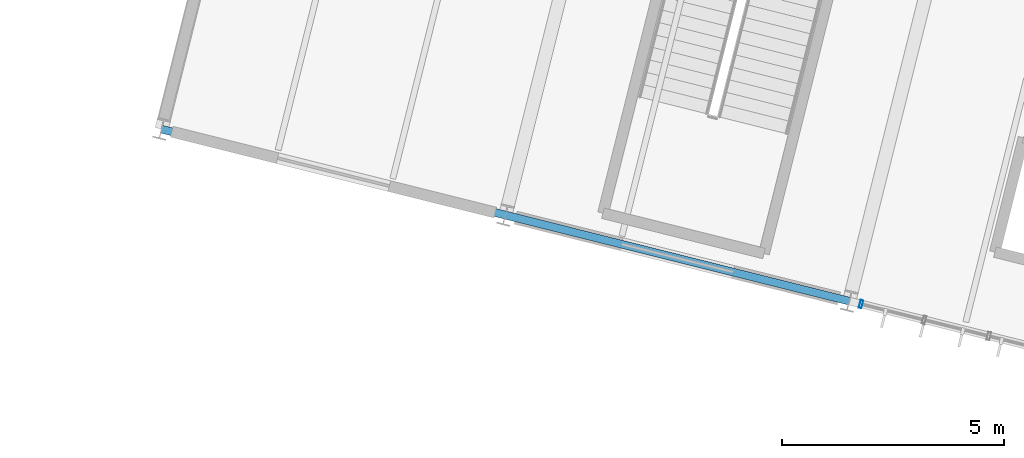
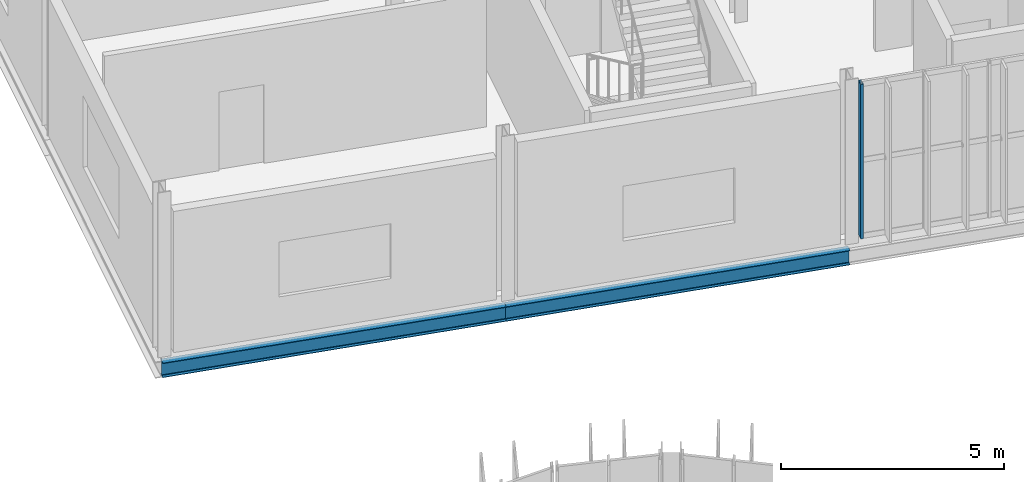
# One storey, part 77 of 152: 2 beams, 1 member, 1 element without a shape of its own.
"""IFC4 building model written with IfcOpenShell, lengths in metres."""

from ifc_helpers import new_model, si_unit, derived_unit, direction, frame, origin, origin_2d, place, context, subcontext, project, spatial, hollow_rectangle, i_section, extrude, material, material_profile, profile_set, type_object, element, aggregate, save


model = new_model("IFC4")

# Units and contexts
model_context = context("Model", 3, precision=1e-05, world=origin(), true_north=direction((0.0, 1.0)))
body_context = subcontext(model_context, "Body", "Model", "MODEL_VIEW")
ifc_project = project(units=[si_unit("LENGTHUNIT", "METRE"), si_unit("AREAUNIT", "SQUARE_METRE"), si_unit("VOLUMEUNIT", "CUBIC_METRE"), si_unit("PLANEANGLEUNIT", "RADIAN"), si_unit("MASSUNIT", "GRAM", prefix="KILO"), si_unit("THERMODYNAMICTEMPERATUREUNIT", "KELVIN"), si_unit("TIMEUNIT", "SECOND"), derived_unit("THERMALTRANSMITTANCEUNIT", [(si_unit("MASSUNIT", "GRAM", prefix="KILO"), 1), (si_unit("THERMODYNAMICTEMPERATUREUNIT", "KELVIN"), -1), (si_unit("TIMEUNIT", "SECOND"), -3)])], contexts=[model_context])

# Site, building, storey
site_placement = place(None, origin())
site = spatial("IfcSite", under=ifc_project, at=site_placement, CompositionType="ELEMENT")
building_placement = place(site_placement, origin())
building = spatial("IfcBuilding", under=site, at=building_placement, Name="Cambertide Market Hall", CompositionType="ELEMENT")
storey_placement = place(building_placement, frame((0.0, 0.0, 5.39990234375)))
storey = spatial("IfcBuildingStorey", under=building, at=storey_placement, Name="L02", CompositionType="ELEMENT", Elevation=5.39990234375)

# Curtain wall, member
ifc_material_1 = material(Name="Marine Anodized Aluminium 6063-T6 AA25", Category="aluminium")
curtain_wall_type = type_object("IfcCurtainWallType", Name="Cooking School Classroom Curtain Wall", PredefinedType="USERDEFINED", material=ifc_material_1)
curtain_wall_placement = place(storey_placement, origin())
curtain_wall = element("IfcCurtainWall", 1, at=curtain_wall_placement, inside=storey, type_object=curtain_wall_type, Name="Level 2 Curtain Wall CW-V4S-L02-3", ObjectType="UNITIZED CURTAIN WALL", PredefinedType="USERDEFINED")
ifc_material_2 = material(Name="Champagne Marine Anodized Aluminium 6063-T6 AA25", Category="aluminium")
ifc_material_profile_1 = material_profile(ifc_material_2, hollow_rectangle(XDim=0.06494140625, YDim=0.179931640625, WallThickness=0.00390625, at=origin_2d()), Name="ALU MULLION 65x180")
ifc_profile_set_1 = profile_set([ifc_material_profile_1], Name="Champagne Marine Anodized Aluminium 6063-T6 AA25")
member_type = type_object("IfcMemberType", Name="Curtain Wall Mullion ALU MULLION 65x180", PredefinedType="MULLION", material=ifc_profile_set_1)
member_placement = place(storey_placement, frame((123.7890625, 96.052734375, 0.0), z_axis=(0.0, 0.0, 1.0), x_axis=(-0.970142531436, 0.242535499875, 0.0)))
member = element("IfcMember", 2, at=member_placement, type_object=member_type, Name="CW-V4S-L02-3 Mullion 6", PredefinedType="MULLION", context=body_context, shape_type="SweptSolid", body=[
    extrude(hollow_rectangle(XDim=0.06494140625, YDim=0.179931640625, WallThickness=0.00390625, at=origin_2d()), origin(), (0.0, 0.0, 1.0), 4.22021484375),
])
aggregate(curtain_wall, [member])

# Beams
ifc_material_3 = material(Name="Steel S355", Category="steel")
ifc_material_profile_2 = material_profile(ifc_material_3, i_section(OverallWidth=0.179931640625, OverallDepth=0.39990234375, WebThickness=0.008544921875, FlangeThickness=0.013427734375, FilletRadius=0.02099609375, at=origin_2d()), Name="IPE 400")
ifc_profile_set_2 = profile_set([ifc_material_profile_2], Name="Steel S355")
beam_type = type_object("IfcBeamType", Name="Perimeter Spandrel Beam IPE 400", PredefinedType="SPANDREL", material=ifc_profile_set_2)
for number, where, z_axis, x_axis, name in (
    (3, (108.0, 100.0, -0.46484375), (0.970146090314, -0.242521263911, 0.0), (0.242521263911, 0.970146090314, 0.0), "Level 2 Spandrel BM-V4U-L02-1-1"),
    (4, (115.76123046875, 98.059814453125, -0.46484375), (0.970137114374, -0.242557167103, 0.0), (0.242557167103, 0.970137114374, 0.0), "Level 2 Spandrel BM-V4U-L02-2-1"),
):
    element("IfcBeam", number, at=place(storey_placement, frame(where, z_axis=z_axis, x_axis=x_axis)), inside=storey, type_object=beam_type, Name=name, PredefinedType="SPANDREL", context=body_context, shape_type="SweptSolid", body=[
        extrude(i_section(OverallWidth=0.179931640625, OverallDepth=0.39990234375, WebThickness=0.008544921875, FlangeThickness=0.013427734375, FilletRadius=0.02099609375, at=origin_2d()), origin(), (0.0, 0.0, 1.0), 8.0),
    ])

save(model, "model.ifc")
